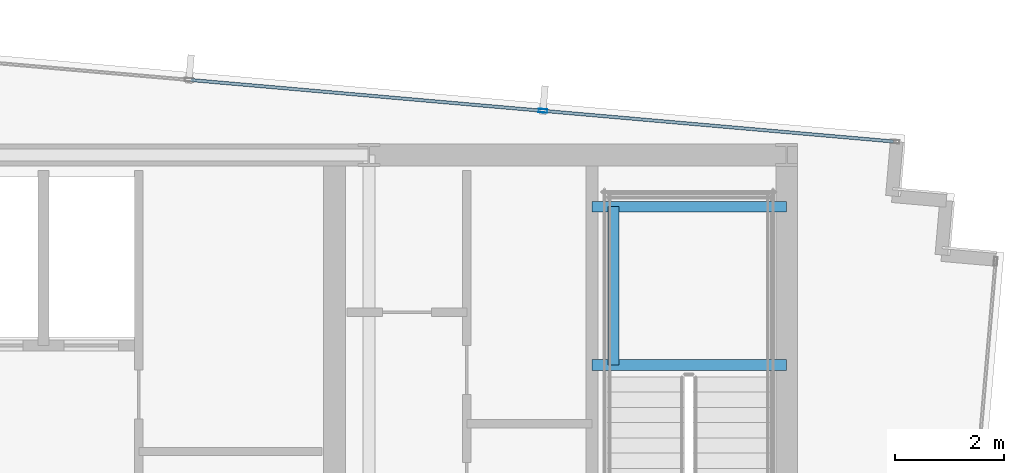
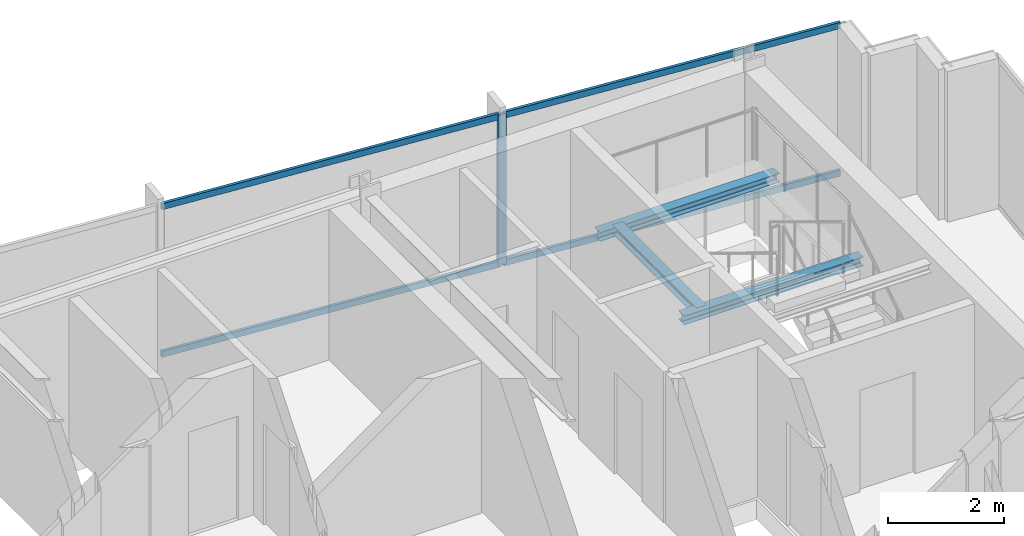
# One storey, part 20 of 32: 5 members, 3 beams, 1 element without a shape of its own.
"""IFC4 building model written with IfcOpenShell, lengths in metres."""

from ifc_helpers import new_model, si_unit, direction, frame, origin, origin_2d, place, context, subcontext, project, spatial, hollow_rectangle, i_section, extrude, material, material_profile, profile_set, type_object, element, aggregate, save


model = new_model("IFC4")

# Units and contexts
model_context = context("Model", 3, precision=1e-05, world=origin(), true_north=direction((0.0, 1.0)))
body_context = subcontext(model_context, "Body", "Model", "MODEL_VIEW")
ifc_project = project(units=[si_unit("LENGTHUNIT", "METRE"), si_unit("AREAUNIT", "SQUARE_METRE"), si_unit("VOLUMEUNIT", "CUBIC_METRE"), si_unit("PLANEANGLEUNIT", "RADIAN"), si_unit("MASSUNIT", "GRAM", prefix="KILO")], contexts=[model_context])

# Site, building, storey
site_placement = place(None, origin())
site = spatial("IfcSite", under=ifc_project, at=site_placement, CompositionType="ELEMENT")
building_placement = place(site_placement, origin())
building = spatial("IfcBuilding", under=site, at=building_placement, Name="Yelkora Congress Tower", CompositionType="ELEMENT")
storey_placement = place(building_placement, frame((0.0, 0.0, 259.10009765625)))
storey = spatial("IfcBuildingStorey", under=building, at=storey_placement, Name="L72", CompositionType="ELEMENT", Elevation=259.10009765625)

# Beams
ifc_material_1 = material(Name="Steel S355J2", Category="steel")
ifc_material_profile_1 = material_profile(ifc_material_1, i_section(OverallWidth=0.199951171875, OverallDepth=0.18994140625, WebThickness=0.006591796875, FlangeThickness=0.010009765625, FilletRadius=0.01806640625, at=origin_2d()), Name="HEA 200")
ifc_profile_set_1 = profile_set([ifc_material_profile_1], Name="Steel S355J2")
beam_type = type_object("IfcBeamType", Name="BM-LAND-HEA200", PredefinedType="BEAM", material=ifc_profile_set_1)
for number, where, z_axis, x_axis, name in (
    (1, (50.179931640625, 42.340087890625, 1.384521484375), (1.0, 0.0, 0.0), (0.0, 1.0, 0.0), "ST-02 L72 Landing Header Beam 1S"),
    (2, (50.179931640625, 45.25, 1.384521484375), (1.0, 0.0, 0.0), (0.0, 1.0, 0.0), "ST-02 L72 Landing Header Beam 1N"),
):
    element("IfcBeam", number, at=place(storey_placement, frame(where, z_axis=z_axis, x_axis=x_axis)), inside=storey, type_object=beam_type, Name=name, PredefinedType="BEAM", context=body_context, shape_type="SweptSolid", body=[
        extrude(i_section(OverallWidth=0.199951171875, OverallDepth=0.18994140625, WebThickness=0.006591796875, FlangeThickness=0.010009765625, FilletRadius=0.01806640625, at=origin_2d()), origin(), (0.0, 0.0, 1.0), 3.580078125),
    ])
beam_placement = place(storey_placement, frame((50.580078125, 42.340087890625, 1.384521484375), z_axis=(0.0, 1.0, 0.0), x_axis=(-1.0, 0.0, 0.0)))
element("IfcBeam", 3, at=beam_placement, inside=storey, type_object=beam_type, Name="ST-02 L72 Landing Trimmer Beam 1M", PredefinedType="BEAM", context=body_context, shape_type="SweptSolid", body=[
    extrude(i_section(OverallWidth=0.199951171875, OverallDepth=0.18994140625, WebThickness=0.006591796875, FlangeThickness=0.010009765625, FilletRadius=0.01806640625, at=origin_2d()), origin(), (0.0, 0.0, 1.0), 2.909912109375),
])

# Curtain wall, members
ifc_material_2 = material(Name="Anodised aluminium and insulated glass", Category="aluminium")
curtain_wall_type = type_object("IfcCurtainWallType", Name="CW-SYS-B5", PredefinedType="NOTDEFINED", material=ifc_material_2)
curtain_wall_placement = place(storey_placement, origin())
curtain_wall = element("IfcCurtainWall", 4, at=curtain_wall_placement, inside=storey, type_object=curtain_wall_type, Name="L72 Unitised Curtain Wall 10", PredefinedType="NOTDEFINED")
ifc_material_3 = material(Name="Anodised aluminium 6063-T6", Category="aluminium")
ifc_material_profile_2 = material_profile(ifc_material_3, hollow_rectangle(XDim=0.06494140625, YDim=0.159912109375, WallThickness=0.00390625, at=origin_2d()), Name="ALU 65x160x4")
ifc_profile_set_2 = profile_set([ifc_material_profile_2], Name="Anodised aluminium 6063-T6")
member_type_1 = type_object("IfcMemberType", Name="MEM-ML-B5", PredefinedType="MULLION", material=ifc_profile_set_2)
member_1_placement = place(storey_placement, frame((49.279541015625, 47.01220703125, 0.0), z_axis=(0.0, 0.0, 1.0), x_axis=(0.087156639893, 0.996194619601, 0.0)))
member_1 = element("IfcMember", 5, at=member_1_placement, type_object=member_type_1, Name="CW-B5 mullion 7", PredefinedType="MULLION", context=body_context, shape_type="SweptSolid", body=[
    extrude(hollow_rectangle(XDim=0.06494140625, YDim=0.159912109375, WallThickness=0.00390625, at=origin_2d()), origin(), (0.0, 0.0, 1.0), 3.179931640625),
])
ifc_material_profile_3 = material_profile(ifc_material_3, hollow_rectangle(XDim=0.06005859375, YDim=0.1298828125, WallThickness=0.00390625, at=origin_2d()), Name="ALU 60x130x4")
ifc_profile_set_3 = profile_set([ifc_material_profile_3], Name="Anodised aluminium 6063-T6")
member_type_2 = type_object("IfcMemberType", Name="MEM-TR-B5", PredefinedType="USERDEFINED", material=ifc_profile_set_3)
member_2_placement = place(storey_placement, frame((42.80517578125, 47.57861328125, 0.02978515625), z_axis=(0.996196257862, -0.087137912649, 0.0), x_axis=(0.087137912649, 0.996196257862, 0.0)))
member_2 = element("IfcMember", 6, at=member_2_placement, type_object=member_type_2, Name="CW-B5 transom 6.1", ObjectType="TRANSOM", PredefinedType="USERDEFINED", context=body_context, shape_type="SweptSolid", body=[
    extrude(hollow_rectangle(XDim=0.06005859375, YDim=0.1298828125, WallThickness=0.00390625, at=origin_2d()), origin(), (0.0, 0.0, 1.0), 6.466552734375),
])
member_3_placement = place(storey_placement, frame((42.80517578125, 47.57861328125, 3.14990234375), z_axis=(0.996196257862, -0.087137912649, 0.0), x_axis=(0.087137912649, 0.996196257862, 0.0)))
member_3 = element("IfcMember", 7, at=member_3_placement, type_object=member_type_2, Name="CW-B5 transom 6.2", ObjectType="TRANSOM", PredefinedType="USERDEFINED", context=body_context, shape_type="SweptSolid", body=[
    extrude(hollow_rectangle(XDim=0.06005859375, YDim=0.1298828125, WallThickness=0.00390625, at=origin_2d()), origin(), (0.0, 0.0, 1.0), 6.466552734375),
])
member_4_placement = place(storey_placement, frame((49.311767578125, 47.009521484375, 0.02978515625), z_axis=(0.996194170551, -0.08716177236, 0.0), x_axis=(0.08716177236, 0.996194170551, 0.0)))
member_4 = element("IfcMember", 8, at=member_4_placement, type_object=member_type_2, Name="CW-B5 transom 7.1", ObjectType="TRANSOM", PredefinedType="USERDEFINED", context=body_context, shape_type="SweptSolid", body=[
    extrude(hollow_rectangle(XDim=0.06005859375, YDim=0.1298828125, WallThickness=0.00390625, at=origin_2d()), origin(), (0.0, 0.0, 1.0), 6.433837890625),
])
member_5_placement = place(storey_placement, frame((49.311767578125, 47.009521484375, 3.14990234375), z_axis=(0.996194170551, -0.08716177236, 0.0), x_axis=(0.08716177236, 0.996194170551, 0.0)))
member_5 = element("IfcMember", 9, at=member_5_placement, type_object=member_type_2, Name="CW-B5 transom 7.2", ObjectType="TRANSOM", PredefinedType="USERDEFINED", context=body_context, shape_type="SweptSolid", body=[
    extrude(hollow_rectangle(XDim=0.06005859375, YDim=0.1298828125, WallThickness=0.00390625, at=origin_2d()), origin(), (0.0, 0.0, 1.0), 6.433837890625),
])
aggregate(curtain_wall, [member_1, member_2, member_3, member_4, member_5])

save(model, "model.ifc")
